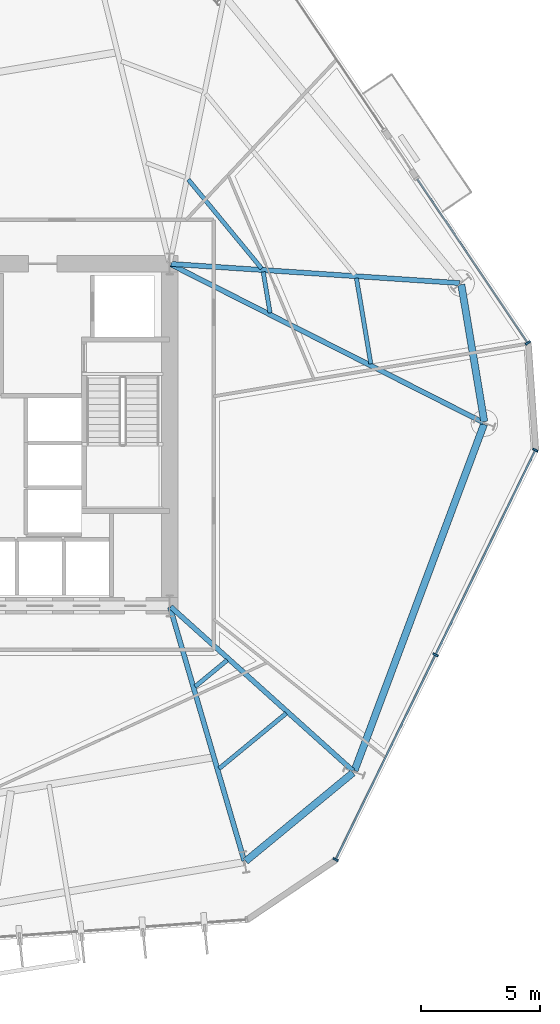
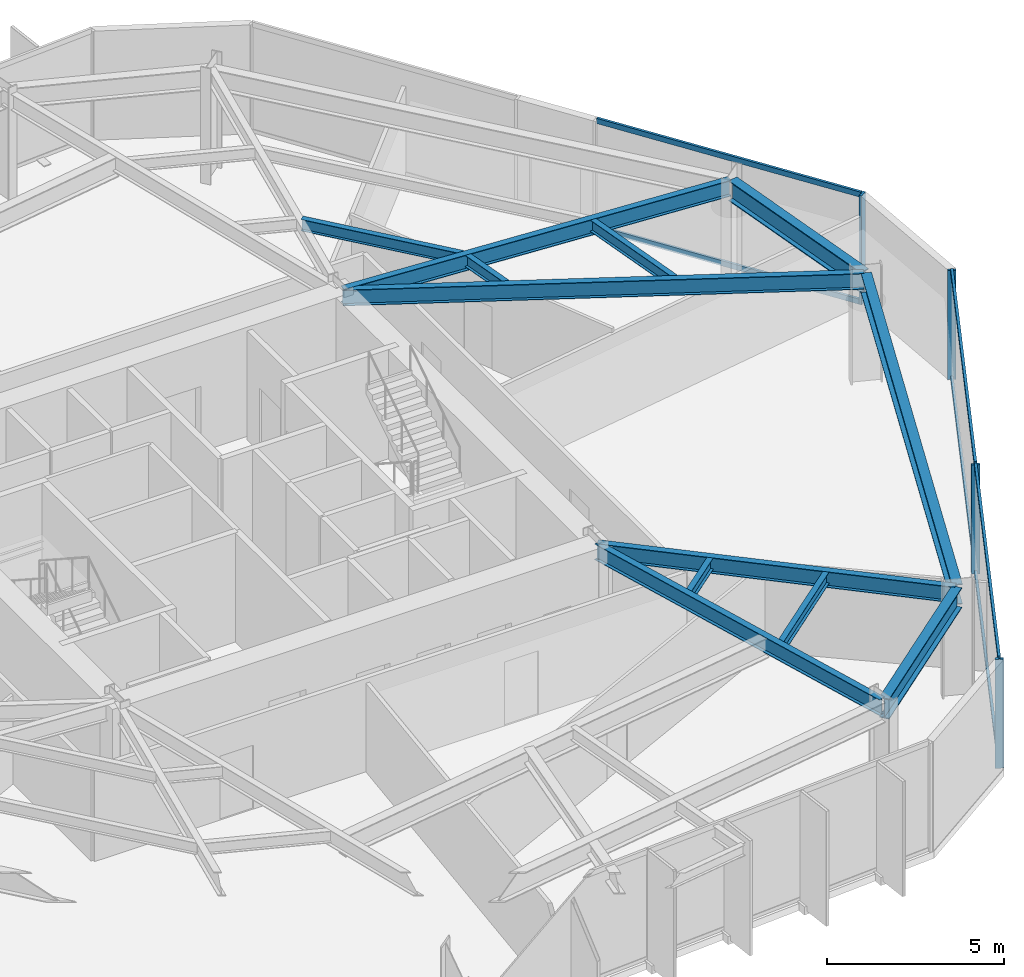
# One storey, part 3 of 10: 12 beams, 10 members, 2 elements without a shape of their own.
"""IFC4 building model written with IfcOpenShell, lengths in metres."""

import ifcopenshell
import ifcopenshell.guid

model = None  # the IFC model being written
_history = None  # IfcOwnerHistory: only IFC2X3 demands one
_inside = {}  # id of a spatial element -> (the spatial element, [elements in it])
_under = {}  # id of a project, library or spatial element -> (it, [spatial elements below it])
_declared = {}  # id of a project -> (the project, [libraries it declares])
_typed = {}  # id of a type object -> (the type object, [elements of that type])
_made_of = {}  # id of a material, layer set ... -> (it, [elements and type objects made of it])


def new_model(schema):
    """Start an empty IFC model of exactly this schema.

    Asked for "IFC4X3", IfcOpenShell would pick the latest addendum, in which some entities
    have other attributes; the version numbers below select the first issue.
    IFC2X3 requires an IfcOwnerHistory on every rooted entity: one is made here for all.
    """
    global model, _history
    if schema == "IFC4X3":
        model = ifcopenshell.file(schema_version=(4, 3, 0, 0))
    else:
        model = ifcopenshell.file(schema=schema)
    _inside.clear()
    _under.clear()
    _declared.clear()
    _typed.clear()
    _made_of.clear()
    _history = None
    if model.schema == "IFC2X3":
        org = make("IfcOrganization", Name="unknown")
        user = make(
            "IfcPersonAndOrganization",
            ThePerson=make("IfcPerson", FamilyName="unknown"),
            TheOrganization=org,
        )
        app = make(
            "IfcApplication",
            ApplicationDeveloper=org,
            Version="unknown",
            ApplicationFullName="unknown",
            ApplicationIdentifier="unknown",
        )
        _history = make(
            "IfcOwnerHistory",
            OwningUser=user,
            OwningApplication=app,
            ChangeAction="ADDED",
            CreationDate=0,
        )
    return model


def make(cls, **values):
    """One entity of the class cls with the attributes given. An attribute that is None is left unset."""
    return model.create_entity(
        cls, **{name: value for name, value in values.items() if value is not None}
    )


def rooted(cls, **values):
    """An entity with a GlobalId (a new one), such as an element, a storey or a relation."""
    return make(cls, GlobalId=ifcopenshell.guid.new(), OwnerHistory=_history, **values)


def si_unit(unit_type, name, prefix=None):
    """IfcSIUnit, for example si_unit("LENGTHUNIT", "METRE", prefix="MILLI")."""
    return make("IfcSIUnit", UnitType=unit_type, Prefix=prefix, Name=name)


def assignment(units):
    """IfcUnitAssignment: the units of a project."""
    return None if units is None else make("IfcUnitAssignment", Units=units)


def point(xyz):
    """IfcCartesianPoint."""
    return None if xyz is None else make("IfcCartesianPoint", Coordinates=xyz)


def direction(xyz):
    """IfcDirection."""
    return None if xyz is None else make("IfcDirection", DirectionRatios=xyz)


def frame(location, z_axis=None, x_axis=None):
    """IfcAxis2Placement3D, a coordinate frame: its origin and axes. An axis left out is left unset."""
    return make(
        "IfcAxis2Placement3D",
        Location=point(location),
        Axis=direction(z_axis),
        RefDirection=direction(x_axis),
    )


def frame_2d(location, x_axis=None):
    """IfcAxis2Placement2D, a coordinate frame in the plane: its origin and x axis."""
    return make(
        "IfcAxis2Placement2D", Location=point(location), RefDirection=direction(x_axis)
    )


def origin():
    """The frame at (0, 0, 0) with its axes left unset."""
    return frame((0.0, 0.0, 0.0))


def origin_2d():
    """The frame at (0, 0) in the plane with its x axis left unset."""
    return frame_2d((0.0, 0.0))


def place(relative_to, where):
    """IfcLocalPlacement: puts the frame where relative to a parent placement (None: the world)."""
    return make(
        "IfcLocalPlacement", PlacementRelTo=relative_to, RelativePlacement=where
    )


def context(
    kind, dimensions, precision=None, world=None, true_north=None, identifier=None
):
    """IfcGeometricRepresentationContext, for example the 3D "Model" context."""
    return make(
        "IfcGeometricRepresentationContext",
        ContextIdentifier=identifier,
        ContextType=kind,
        CoordinateSpaceDimension=dimensions,
        Precision=precision,
        WorldCoordinateSystem=world,
        TrueNorth=true_north,
    )


def subcontext(parent, identifier, kind, view, scale=None):
    """IfcGeometricRepresentationSubContext, for example "Body" below "Model"."""
    return make(
        "IfcGeometricRepresentationSubContext",
        ContextIdentifier=identifier,
        ContextType=kind,
        ParentContext=parent,
        TargetScale=scale,
        TargetView=view,
    )


def project(units=None, contexts=None):
    """IfcProject with its units and contexts."""
    return rooted(
        "IfcProject",
        Name="project",
        RepresentationContexts=contexts,
        UnitsInContext=assignment(units),
    )


def spatial(cls, under=None, at=None, **own):
    """A site, building, storey or space (cls), placed at a placement, below another one or the project."""
    s = rooted(cls, ObjectPlacement=at, **own)
    if under is not None:
        _under.setdefault(under.id(), (under, []))[1].append(s)
    return s


def profile(cls, at=None, kind="AREA", **sizes):
    """A parametric profile (cls). Its sizes go by their IFC names, for example OverallWidth=200.0."""
    return make(cls, ProfileType=kind, Position=at, **sizes)


def rectangle(**sizes):
    """IfcRectangleProfileDef."""
    return profile("IfcRectangleProfileDef", **sizes)


def i_section(**sizes):
    """IfcIShapeProfileDef."""
    return profile("IfcIShapeProfileDef", **sizes)


def extrude(swept, where, along, depth):
    """IfcExtrudedAreaSolid: the profile swept, set in the frame where, extruded along a direction by depth."""
    return make(
        "IfcExtrudedAreaSolid",
        SweptArea=swept,
        Position=where,
        ExtrudedDirection=direction(along),
        Depth=depth,
    )


def shape(context_of_items, identifier, shape_type, items):
    """IfcShapeRepresentation: the items that make up one representation, for example the "Body"."""
    return make(
        "IfcShapeRepresentation",
        ContextOfItems=context_of_items,
        RepresentationIdentifier=identifier,
        RepresentationType=shape_type,
        Items=items,
    )


def material(Name=None, Category=None):
    """IfcMaterial."""
    return make("IfcMaterial", Name=Name, Category=Category)


def layer(
    of_material, thickness, ventilated=None, Name=None, Category=None, Priority=None
):
    """IfcMaterialLayer: one layer of a wall or slab, of a material (None: an air gap)."""
    return make(
        "IfcMaterialLayer",
        Material=of_material,
        LayerThickness=thickness,
        IsVentilated=ventilated,
        Name=Name,
        Category=Category,
        Priority=Priority,
    )


def layer_set(layers, Name=None):
    """IfcMaterialLayerSet."""
    return make("IfcMaterialLayerSet", MaterialLayers=layers, LayerSetName=Name)


def material_profile(
    of_material, cross_section, Name=None, Category=None, Priority=None
):
    """IfcMaterialProfile: a cross section and its material."""
    return make(
        "IfcMaterialProfile",
        Name=Name,
        Material=of_material,
        Profile=cross_section,
        Priority=Priority,
        Category=Category,
    )


def profile_set(profiles, Name=None, composite=None):
    """IfcMaterialProfileSet."""
    return make(
        "IfcMaterialProfileSet",
        Name=Name,
        MaterialProfiles=profiles,
        CompositeProfile=composite,
    )


def made_of(thing, what):
    """Note that an element or type object is made of a material, layer set ...; save() writes the relation."""
    if what is not None:
        _made_of.setdefault(what.id(), (what, []))[1].append(thing)
    return thing


def type_object(cls, material=None, **own):
    """A type object (cls), such as IfcWallType, which elements share."""
    return made_of(rooted(cls, **own), material)


def element(
    cls,
    number,
    at=None,
    inside=None,
    cuts=None,
    type_object=None,
    material=None,
    context=None,
    identifier="Body",
    shape_type=None,
    held_by="IfcProductDefinitionShape",
    body=None,
    shapes=None,
    **own,
):
    """One element of the class cls, such as IfcWall. Its Tag is "e" and its number.

    at: its placement. inside: the storey or other place that contains it. cuts: it is an
    opening in that element (IfcRelVoidsElement). A single representation is given by context,
    identifier, shape_type and body (its items); several are given by shapes. held_by: the class
    of the entity that holds the representations. save() writes the other relations.
    """
    e = rooted(cls, Tag="e%d" % number, ObjectPlacement=at, **own)
    if body is not None:
        shapes = [shape(context, identifier, shape_type, body)]
    if shapes is not None:
        e.Representation = make(held_by, Representations=shapes)
    if inside is not None:
        _inside.setdefault(inside.id(), (inside, []))[1].append(e)
    if cuts is not None:
        rooted(
            "IfcRelVoidsElement", RelatingBuildingElement=cuts, RelatedOpeningElement=e
        )
    if type_object is not None:
        _typed.setdefault(type_object.id(), (type_object, []))[1].append(e)
    return made_of(e, material)


def aggregate(whole, parts):
    """IfcRelAggregates: a whole, such as a stair, and the parts it consists of."""
    return rooted("IfcRelAggregates", RelatingObject=whole, RelatedObjects=parts)


def save(model, path):
    """Write the relations noted so far, then the file.

    IfcRelAggregates (storeys below a building ...), IfcRelContainedInSpatialStructure (elements
    in a storey), IfcRelDefinesByType, IfcRelAssociatesMaterial and IfcRelDeclares: one each for
    every whole, place, type object, material and project.
    """
    for whole, parts in _under.values():
        aggregate(whole, parts)
    for where, things in _inside.values():
        rooted(
            "IfcRelContainedInSpatialStructure",
            RelatedElements=things,
            RelatingStructure=where,
        )
    for kind, things in _typed.values():
        rooted("IfcRelDefinesByType", RelatedObjects=things, RelatingType=kind)
    for what, things in _made_of.values():
        rooted("IfcRelAssociatesMaterial", RelatedObjects=things, RelatingMaterial=what)
    for by, libraries in _declared.values():
        rooted("IfcRelDeclares", RelatingContext=by, RelatedDefinitions=libraries)
    model.write(path)


model = new_model("IFC4")

# Units and contexts
model_context = context("Model", 3, precision=1e-05, world=origin(), true_north=direction((0.0, 1.0)))
body_context = subcontext(model_context, "Body", "Model", "MODEL_VIEW")
ifc_project = project(units=[si_unit("LENGTHUNIT", "METRE"), si_unit("AREAUNIT", "SQUARE_METRE"), si_unit("VOLUMEUNIT", "CUBIC_METRE"), si_unit("PLANEANGLEUNIT", "RADIAN"), si_unit("MASSUNIT", "GRAM", prefix="KILO")], contexts=[model_context])

# Site, building, storey
site_placement = place(None, origin())
site = spatial("IfcSite", under=ifc_project, at=site_placement, CompositionType="ELEMENT")
building_placement = place(site_placement, origin())
building = spatial("IfcBuilding", under=site, at=building_placement, Name="Kranzbogen Civic Tower", CompositionType="ELEMENT")
storey_placement = place(building_placement, frame((0.0, 0.0, 36.0)))
storey = spatial("IfcBuildingStorey", under=building, at=storey_placement, Name="L08", CompositionType="ELEMENT", Elevation=36.0)

# Curtain wall, member
ifc_material_1 = material(Name="Pale Anodised Aluminium", Category="aluminium")
ifc_layer = layer(ifc_material_1, 0.219970703125, Name="Pale Anodised Aluminium")
ifc_layer_set = layer_set([ifc_layer], Name="Pale Anodised Aluminium")
curtain_wall_type = type_object("IfcCurtainWallType", Name="Zone 1 Stick Curtain Wall System CW-02", PredefinedType="USERDEFINED", material=ifc_layer_set)
curtain_wall_1_placement = place(storey_placement, origin())
curtain_wall_1 = element("IfcCurtainWall", 1, at=curtain_wall_1_placement, inside=storey, type_object=curtain_wall_type, Name="L08 curtain wall CW-L08-F1-S1", ObjectType="STICK CURTAIN WALL", PredefinedType="USERDEFINED")
ifc_material_profile_1 = material_profile(ifc_material_1, rectangle(XDim=0.080078125, YDim=0.239990234375, at=origin_2d()), Name="ALU-M 80x240")
ifc_profile_set_1 = profile_set([ifc_material_profile_1], Name="Pale Anodised Aluminium")
member_type_1 = type_object("IfcMemberType", Name="Curtain Wall Mullion ALU-M 80x240", PredefinedType="MULLION", material=ifc_profile_set_1)
member_1_placement = place(storey_placement, frame((47.88427734375, 28.868896484375, 0.0), z_axis=(0.0, 0.0, 1.0), x_axis=(-0.559187234203, 0.829041396496, 0.0)))
member_1 = element("IfcMember", 2, at=member_1_placement, type_object=member_type_1, Name="CW-02 mullion 1", PredefinedType="MULLION", context=body_context, shape_type="SweptSolid", body=[
    extrude(rectangle(XDim=0.080078125, YDim=0.239990234375, at=origin_2d()), origin(), (0.0, 0.0, 1.0), 3.760009765625),
])

# Curtain wall, members
curtain_wall_2_placement = place(storey_placement, origin())
curtain_wall_2 = element("IfcCurtainWall", 3, at=curtain_wall_2_placement, inside=storey, type_object=curtain_wall_type, Name="L08 curtain wall CW-L08-F6", ObjectType="STICK CURTAIN WALL", PredefinedType="USERDEFINED")
member_2_placement = place(storey_placement, frame((39.792236328125, 7.115966796875, 0.0), z_axis=(0.0, 0.0, 1.0), x_axis=(0.438356045969, 0.898801411304, 0.0)))
member_2 = element("IfcMember", 4, at=member_2_placement, type_object=member_type_1, Name="CW-02 mullion 1", PredefinedType="MULLION", context=body_context, shape_type="SweptSolid", body=[
    extrude(rectangle(XDim=0.080078125, YDim=0.239990234375, at=origin_2d()), origin(), (0.0, 0.0, 1.0), 3.760009765625),
])
member_3_placement = place(storey_placement, frame((43.99609375, 15.735595703125, 0.0), z_axis=(0.0, 0.0, 1.0), x_axis=(0.438356045969, 0.898801411304, 0.0)))
member_3 = element("IfcMember", 5, at=member_3_placement, type_object=member_type_1, Name="CW-02 mullion 2", PredefinedType="MULLION", context=body_context, shape_type="SweptSolid", body=[
    extrude(rectangle(XDim=0.080078125, YDim=0.239990234375, at=origin_2d()), origin(), (0.0, 0.0, 1.0), 3.760009765625),
])
member_4_placement = place(storey_placement, frame((48.199951171875, 24.35498046875, 0.0), z_axis=(0.0, 0.0, 1.0), x_axis=(0.438356045969, 0.898801411304, 0.0)))
member_4 = element("IfcMember", 6, at=member_4_placement, type_object=member_type_1, Name="CW-02 mullion 3", PredefinedType="MULLION", context=body_context, shape_type="SweptSolid", body=[
    extrude(rectangle(XDim=0.080078125, YDim=0.239990234375, at=origin_2d()), origin(), (0.0, 0.0, 1.0), 3.760009765625),
])

# Member
ifc_material_profile_2 = material_profile(ifc_material_1, rectangle(XDim=0.080078125, YDim=0.179931640625, at=origin_2d()), Name="ALU-T 80x180")
ifc_profile_set_2 = profile_set([ifc_material_profile_2], Name="Pale Anodised Aluminium")
member_type_2 = type_object("IfcMemberType", Name="Curtain Wall Transom ALU-T 80x180", PredefinedType="USERDEFINED", material=ifc_profile_set_2)
member_5_placement = place(storey_placement, frame((47.867431640625, 28.893798828125, 0.030029296875), z_axis=(-0.559192923252, 0.829037559213, 0.0), x_axis=(-0.829037559213, -0.559192923252, 0.0)))
member_5 = element("IfcMember", 7, at=member_5_placement, type_object=member_type_2, Name="CW-02 transom 1.1", ObjectType="TRANSOM", PredefinedType="USERDEFINED", context=body_context, shape_type="SweptSolid", body=[
    extrude(rectangle(XDim=0.080078125, YDim=0.179931640625, at=origin_2d()), origin(), (0.0, 0.0, 1.0), 8.29931640625),
])

member_6_placement = place(storey_placement, frame((47.867431640625, 28.893798828125, 3.72998046875), z_axis=(-0.559192923252, 0.829037559213, 0.0), x_axis=(-0.829037559213, -0.559192923252, 0.0)))
member_6 = element("IfcMember", 8, at=member_6_placement, type_object=member_type_2, Name="CW-02 transom 1.2", ObjectType="TRANSOM", PredefinedType="USERDEFINED", context=body_context, shape_type="SweptSolid", body=[
    extrude(rectangle(XDim=0.080078125, YDim=0.179931640625, at=origin_2d()), origin(), (0.0, 0.0, 1.0), 8.29931640625),
])

aggregate(curtain_wall_1, [member_1, member_5, member_6])

member_7_placement = place(storey_placement, frame((39.805419921875, 7.142822265625, 0.030029296875), z_axis=(0.438348426285, 0.898805127474, 0.0), x_axis=(-0.898805127474, 0.438348426285, 0.0)))
member_7 = element("IfcMember", 9, at=member_7_placement, type_object=member_type_2, Name="CW-02 transom 1.1", ObjectType="TRANSOM", PredefinedType="USERDEFINED", context=body_context, shape_type="SweptSolid", body=[
    extrude(rectangle(XDim=0.080078125, YDim=0.179931640625, at=origin_2d()), origin(), (0.0, 0.0, 1.0), 9.530029296875),
])

member_8_placement = place(storey_placement, frame((39.805419921875, 7.142822265625, 3.72998046875), z_axis=(0.438348426285, 0.898805127474, 0.0), x_axis=(-0.898805127474, 0.438348426285, 0.0)))
member_8 = element("IfcMember", 10, at=member_8_placement, type_object=member_type_2, Name="CW-02 transom 1.2", ObjectType="TRANSOM", PredefinedType="USERDEFINED", context=body_context, shape_type="SweptSolid", body=[
    extrude(rectangle(XDim=0.080078125, YDim=0.179931640625, at=origin_2d()), origin(), (0.0, 0.0, 1.0), 9.530029296875),
])

member_9_placement = place(storey_placement, frame((44.009033203125, 15.762451171875, 0.030029296875), z_axis=(0.438369121399, 0.898795034145, 0.0), x_axis=(-0.898795034145, 0.438369121399, 0.0)))
member_9 = element("IfcMember", 11, at=member_9_placement, type_object=member_type_2, Name="CW-02 transom 2.1", ObjectType="TRANSOM", PredefinedType="USERDEFINED", context=body_context, shape_type="SweptSolid", body=[
    extrude(rectangle(XDim=0.080078125, YDim=0.179931640625, at=origin_2d()), origin(), (0.0, 0.0, 1.0), 9.5302734375),
])

member_10_placement = place(storey_placement, frame((44.009033203125, 15.762451171875, 3.72998046875), z_axis=(0.438369121399, 0.898795034145, 0.0), x_axis=(-0.898795034145, 0.438369121399, 0.0)))
member_10 = element("IfcMember", 12, at=member_10_placement, type_object=member_type_2, Name="CW-02 transom 2.2", ObjectType="TRANSOM", PredefinedType="USERDEFINED", context=body_context, shape_type="SweptSolid", body=[
    extrude(rectangle(XDim=0.080078125, YDim=0.179931640625, at=origin_2d()), origin(), (0.0, 0.0, 1.0), 9.5302734375),
])

aggregate(curtain_wall_2, [member_2, member_3, member_4, member_7, member_8, member_9, member_10])

# Beams
ifc_material_2 = material(Name="Steel S355", Category="steel")
ifc_material_profile_3 = material_profile(ifc_material_2, i_section(OverallWidth=0.300048828125, OverallDepth=0.699951171875, WebThickness=0.01708984375, FlangeThickness=0.031982421875, at=origin_2d()), Name="HEB 700")
ifc_profile_set_3 = profile_set([ifc_material_profile_3], Name="Steel S355")
beam_type_1 = type_object("IfcBeamType", Name="Perimeter Tube Spandrel Beam HEB 700", PredefinedType="SPANDREL", material=ifc_profile_set_3)
beam_1_placement = place(storey_placement, frame((36.00390625, 7.050048828125, 3.409912109375), z_axis=(0.77168336865, 0.636006901337, 0.0), x_axis=(-0.636006901337, 0.77168336865, 0.0)))
element("IfcBeam", 13, at=beam_1_placement, inside=storey, type_object=beam_type_1, Name="L08 perimeter spandrel beam 05", PredefinedType="SPANDREL", context=body_context, shape_type="SweptSolid", body=[
    extrude(i_section(OverallWidth=0.300048828125, OverallDepth=0.699951171875, WebThickness=0.01708984375, FlangeThickness=0.031982421875, at=origin_2d()), origin(), (0.0, 0.0, 1.0), 5.853515625),
])
beam_2_placement = place(storey_placement, frame((40.587890625, 10.866943359375, 3.409912109375), z_axis=(0.350172267932, 0.936685316833, 0.0), x_axis=(-0.936685316833, 0.350172267932, 0.0)))
element("IfcBeam", 14, at=beam_2_placement, inside=storey, type_object=beam_type_1, Name="L08 perimeter spandrel beam 06", PredefinedType="SPANDREL", context=body_context, shape_type="SweptSolid", body=[
    extrude(i_section(OverallWidth=0.300048828125, OverallDepth=0.699951171875, WebThickness=0.01708984375, FlangeThickness=0.031982421875, at=origin_2d()), origin(), (0.0, 0.0, 1.0), 15.55810546875),
])
beam_3_placement = place(storey_placement, frame((46.047119140625, 25.554931640625, 3.409912109375), z_axis=(-0.164913116942, 0.986308097838, 0.0), x_axis=(-0.986308097838, -0.164913116942, 0.0)))
element("IfcBeam", 15, at=beam_3_placement, inside=storey, type_object=beam_type_1, Name="L08 perimeter spandrel beam 07", PredefinedType="SPANDREL", context=body_context, shape_type="SweptSolid", body=[
    extrude(i_section(OverallWidth=0.300048828125, OverallDepth=0.699951171875, WebThickness=0.01708984375, FlangeThickness=0.031982421875, at=origin_2d()), origin(), (0.0, 0.0, 1.0), 5.85205078125),
])
ifc_material_profile_4 = material_profile(ifc_material_2, i_section(OverallWidth=0.2099609375, OverallDepth=0.550048828125, WebThickness=0.010986328125, FlangeThickness=0.01708984375, at=origin_2d()), Name="IPE 550")
ifc_profile_set_4 = profile_set([ifc_material_profile_4], Name="Steel S355")
beam_type_2 = type_object("IfcBeamType", Name="Radial Tower Floor Girder IPE 550", PredefinedType="BEAM", material=ifc_profile_set_4)
beam_4_placement = place(storey_placement, frame((35.94091796875, 7.070068359375, 3.485107421875), z_axis=(-0.280944131918, 0.959724124288, 0.0), x_axis=(-0.959724124288, -0.280944131918, 0.0)))
element("IfcBeam", 16, at=beam_4_placement, inside=storey, type_object=beam_type_2, Name="L08 radial floor girder 05", PredefinedType="BEAM", context=body_context, shape_type="SweptSolid", body=[
    extrude(i_section(OverallWidth=0.2099609375, OverallDepth=0.550048828125, WebThickness=0.010986328125, FlangeThickness=0.01708984375, at=origin_2d()), origin(), (0.0, 0.0, 1.0), 11.11962890625),
])
beam_5_placement = place(storey_placement, frame((40.52197265625, 10.85107421875, 3.485107421875), z_axis=(-0.743311776894, 0.668945141496, 0.0), x_axis=(-0.668945141496, -0.743311776894, 0.0)))
element("IfcBeam", 17, at=beam_5_placement, inside=storey, type_object=beam_type_2, Name="L08 radial floor girder 06", PredefinedType="BEAM", context=body_context, shape_type="SweptSolid", body=[
    extrude(i_section(OverallWidth=0.2099609375, OverallDepth=0.550048828125, WebThickness=0.010986328125, FlangeThickness=0.01708984375, at=origin_2d()), origin(), (0.0, 0.0, 1.0), 10.328125),
])
beam_6_placement = place(storey_placement, frame((46.0029296875, 25.52294921875, 3.485107421875), z_axis=(-0.892363219254, 0.451317942168, 0.0), x_axis=(-0.451317942168, -0.892363219254, 0.0)))
element("IfcBeam", 18, at=beam_6_placement, inside=storey, type_object=beam_type_2, Name="L08 radial floor girder 07", PredefinedType="BEAM", context=body_context, shape_type="SweptSolid", body=[
    extrude(i_section(OverallWidth=0.2099609375, OverallDepth=0.550048828125, WebThickness=0.010986328125, FlangeThickness=0.01708984375, at=origin_2d()), origin(), (0.0, 0.0, 1.0), 14.73486328125),
])
beam_7_placement = place(storey_placement, frame((45.011962890625, 31.389892578125, 3.485107421875), z_axis=(-0.99780674843, 0.066194356156, 0.0), x_axis=(-0.066194356156, -0.99780674843, 0.0)))
element("IfcBeam", 19, at=beam_7_placement, inside=storey, type_object=beam_type_2, Name="L08 radial floor girder 08", PredefinedType="BEAM", context=body_context, shape_type="SweptSolid", body=[
    extrude(i_section(OverallWidth=0.2099609375, OverallDepth=0.550048828125, WebThickness=0.010986328125, FlangeThickness=0.01708984375, at=origin_2d()), origin(), (0.0, 0.0, 1.0), 12.178466796875),
])
ifc_material_profile_5 = material_profile(ifc_material_2, i_section(OverallWidth=0.179931640625, OverallDepth=0.39990234375, WebThickness=0.008544921875, FlangeThickness=0.013427734375, at=origin_2d()), Name="IPE 400")
ifc_profile_set_5 = profile_set([ifc_material_profile_5], Name="Steel S355")
beam_type_3 = type_object("IfcBeamType", Name="Secondary Composite Floor Joist IPE 400", PredefinedType="JOIST", material=ifc_profile_set_5)
beam_8_placement = place(storey_placement, frame((34.883056640625, 10.947021484375, 3.56005859375), z_axis=(0.771712720426, 0.635971286406, 0.0), x_axis=(-0.635971286406, 0.771712720426, 0.0)))
element("IfcBeam", 20, at=beam_8_placement, inside=storey, type_object=beam_type_3, Name="L08 secondary floor joist 1.05", PredefinedType="JOIST", context=body_context, shape_type="SweptSolid", body=[
    extrude(i_section(OverallWidth=0.179931640625, OverallDepth=0.39990234375, WebThickness=0.008544921875, FlangeThickness=0.013427734375, at=origin_2d()), origin(), (0.0, 0.0, 1.0), 3.661865234375),
])
beam_9_placement = place(storey_placement, frame((33.8720703125, 14.39892578125, 3.56005859375), z_axis=(0.771773324836, 0.635897739477, 0.0), x_axis=(-0.635897739477, 0.771773324836, 0.0)))
element("IfcBeam", 21, at=beam_9_placement, inside=storey, type_object=beam_type_3, Name="L08 secondary floor joist 2.05", PredefinedType="JOIST", context=body_context, shape_type="SweptSolid", body=[
    extrude(i_section(OverallWidth=0.179931640625, OverallDepth=0.39990234375, WebThickness=0.008544921875, FlangeThickness=0.013427734375, at=origin_2d()), origin(), (0.0, 0.0, 1.0), 1.751953125),
])
beam_10_placement = place(storey_placement, frame((41.27099609375, 27.988037109375, 3.56005859375), z_axis=(-0.164928678379, 0.986305495802, 0.0), x_axis=(-0.986305495802, -0.164928678379, 0.0)))
element("IfcBeam", 22, at=beam_10_placement, inside=storey, type_object=beam_type_3, Name="L08 secondary floor joist 1.07", PredefinedType="JOIST", context=body_context, shape_type="SweptSolid", body=[
    extrude(i_section(OverallWidth=0.179931640625, OverallDepth=0.39990234375, WebThickness=0.008544921875, FlangeThickness=0.013427734375, at=origin_2d()), origin(), (0.0, 0.0, 1.0), 3.662109375),
])
beam_11_placement = place(storey_placement, frame((37.029052734375, 30.134033203125, 3.56005859375), z_axis=(-0.165077224104, 0.986280644686, 0.0), x_axis=(-0.986280644686, -0.165077224104, 0.0)))
element("IfcBeam", 23, at=beam_11_placement, inside=storey, type_object=beam_type_3, Name="L08 secondary floor joist 2.07", PredefinedType="JOIST", context=body_context, shape_type="SweptSolid", body=[
    extrude(i_section(OverallWidth=0.179931640625, OverallDepth=0.39990234375, WebThickness=0.008544921875, FlangeThickness=0.013427734375, at=origin_2d()), origin(), (0.0, 0.0, 1.0), 1.7509765625),
])
beam_12_placement = place(storey_placement, frame((36.676025390625, 32.0009765625, 3.56005859375), z_axis=(-0.636012010413, 0.771679157818, 0.0), x_axis=(-0.771679157818, -0.636012010413, 0.0)))
element("IfcBeam", 24, at=beam_12_placement, inside=storey, type_object=beam_type_3, Name="L08 secondary floor joist 2.08", PredefinedType="JOIST", context=body_context, shape_type="SweptSolid", body=[
    extrude(i_section(OverallWidth=0.179931640625, OverallDepth=0.39990234375, WebThickness=0.008544921875, FlangeThickness=0.013427734375, at=origin_2d()), origin(), (0.0, 0.0, 1.0), 4.85693359375),
])

save(model, "model.ifc")
